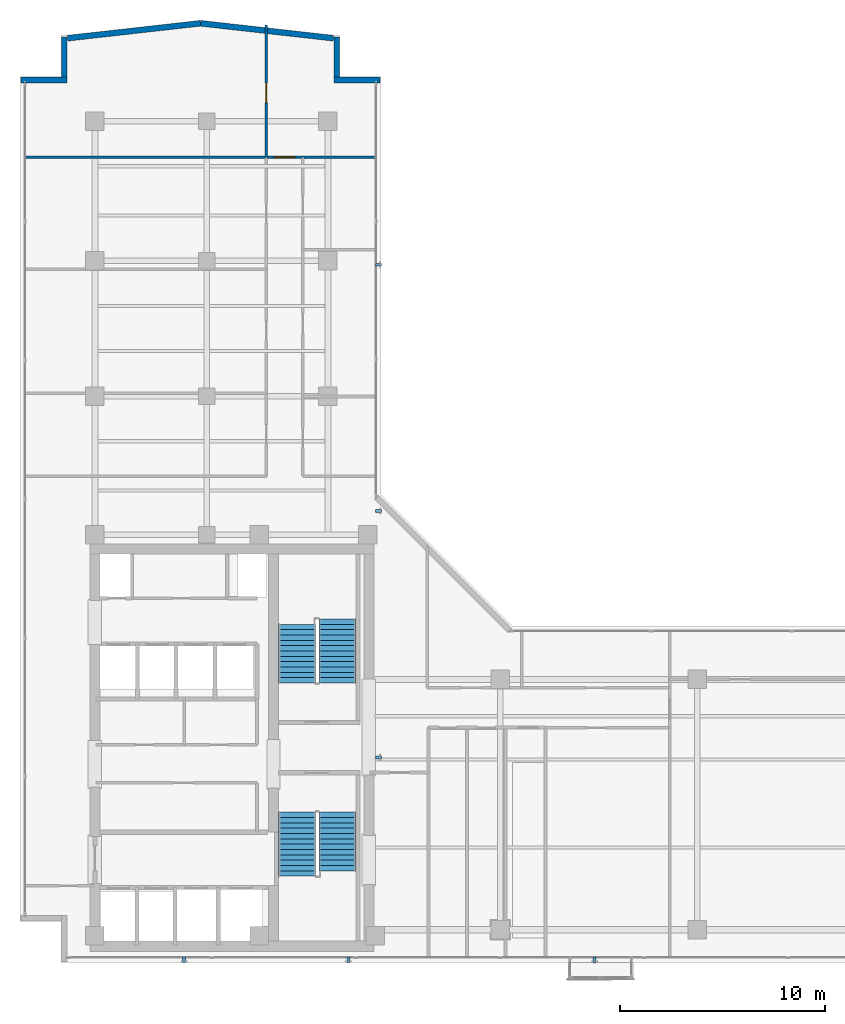
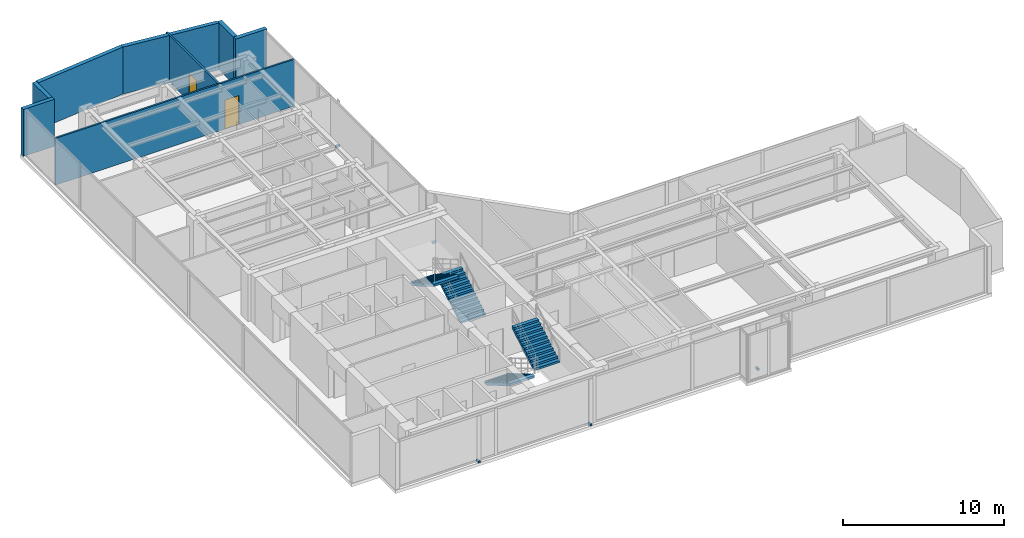
# One storey, part 19 of 22: 8 walls, 6 discrete accessories, 4 stair flights, 2 doors, 2 openings, 2 elements without a shape of their own.
"""IFC4 building model written with IfcOpenShell, lengths in metres."""

from ifc_helpers import new_model, si_unit, direction, frame, frame_2d, origin, origin_with_axes, origin_2d, place, context, subcontext, project, spatial, polyline, rectangle, outline, extrude, source, transform, mapped, material, layer, layer_set, type_object, element, fill, aggregate, save


model = new_model("IFC4")

# Units and contexts
model_context = context("Model", 3, precision=1e-05, world=origin(), true_north=direction((0.0, 1.0)))
body_context = subcontext(model_context, "Body", "Model", "MODEL_VIEW")
ifc_project = project(units=[si_unit("LENGTHUNIT", "METRE"), si_unit("AREAUNIT", "SQUARE_METRE"), si_unit("VOLUMEUNIT", "CUBIC_METRE"), si_unit("PLANEANGLEUNIT", "RADIAN"), si_unit("MASSUNIT", "GRAM", prefix="KILO")], contexts=[model_context])

# Site, building, storey
site_placement = place(None, origin())
site = spatial("IfcSite", under=ifc_project, at=site_placement, CompositionType="ELEMENT")
building_placement = place(site_placement, origin())
building = spatial("IfcBuilding", under=site, at=building_placement, Name="Kolvaren Waterfront Exchange", CompositionType="ELEMENT")
storey_placement = place(building_placement, frame((0.0, 0.0, 266.60009765625)))
storey = spatial("IfcBuildingStorey", under=building, at=storey_placement, Name="L68", CompositionType="ELEMENT", Elevation=266.60009765625)

# Walls
ifc_material_1 = material(Name="Precast concrete C40/50", Category="concrete")
ifc_layer_1 = layer(ifc_material_1, 0.280029296875, Name="Precast concrete C40/50")
ifc_layer_set_1 = layer_set([ifc_layer_1], Name="Precast concrete C40/50")
wall_type_1 = type_object("IfcWallType", Name="ARC-EXT-TERR-280", PredefinedType="SOLIDWALL", material=ifc_layer_set_1)
wall_1_placement = place(storey_placement, frame((19.089599609375, 46.603271484375, 0.0), z_axis=(0.0, 0.0, 1.0), x_axis=(1.0, 0.0, 0.0)))
element("IfcWall", 1, at=wall_1_placement, inside=storey, type_object=wall_type_1, Name="L68 notched corner spandrel pier NNE-A", PredefinedType="SOLIDWALL", context=body_context, shape_type="SweptSolid", body=[
    extrude(rectangle(XDim=2.239990234375, YDim=0.280029296875, at=frame_2d((1.1201171875, 0.0))), origin(), (0.0, 0.0, 1.0), 3.559814453125),
])
wall_2_placement = place(storey_placement, frame((19.2294921875, 46.7431640625, 0.0), z_axis=(0.0, 0.0, 1.0), x_axis=(0.0, 1.0, 0.0)))
element("IfcWall", 2, at=wall_2_placement, inside=storey, type_object=wall_type_1, Name="L68 notched corner spandrel pier NNE-B", PredefinedType="SOLIDWALL", context=body_context, shape_type="SweptSolid", body=[
    extrude(rectangle(XDim=1.9599609375, YDim=0.280029296875, at=frame_2d((0.97998046875, 0.0))), origin(), (0.0, 0.0, 1.0), 3.559814453125),
])
wall_3_placement = place(storey_placement, frame((3.860107421875, 46.603271484375, 0.0), z_axis=(0.0, 0.0, 1.0), x_axis=(1.0, 0.0, 0.0)))
element("IfcWall", 3, at=wall_3_placement, inside=storey, type_object=wall_type_1, Name="L68 notched corner spandrel pier NW-A", PredefinedType="SOLIDWALL", context=body_context, shape_type="SweptSolid", body=[
    extrude(rectangle(XDim=2.239990234375, YDim=0.280029296875, at=frame_2d((1.1201171875, 0.0))), origin(), (0.0, 0.0, 1.0), 3.559814453125),
])
wall_4_placement = place(storey_placement, frame((5.9599609375, 46.7431640625, 0.0), z_axis=(0.0, 0.0, 1.0), x_axis=(0.0, 1.0, 0.0)))
element("IfcWall", 4, at=wall_4_placement, inside=storey, type_object=wall_type_1, Name="L68 notched corner spandrel pier NW-B", PredefinedType="SOLIDWALL", context=body_context, shape_type="SweptSolid", body=[
    extrude(rectangle(XDim=1.9599609375, YDim=0.280029296875, at=frame_2d((0.97998046875, 0.0))), origin(), (0.0, 0.0, 1.0), 3.559814453125),
])
for number, where, z_axis, x_axis, name in (
    (5, (19.073486328125, 48.6376953125, 0.0), (0.0, 0.0, 1.0), (-0.993750080773, 0.111627850304, 0.0), "L68 north prow faceted facade wall 1"),
    (6, (12.5927734375, 49.365234375, 0.0), (0.0, 0.0, 1.0), (-0.993750080773, -0.111627850304, 0.0), "L68 north prow faceted facade wall 2"),
):
    element("IfcWall", number, at=place(storey_placement, frame(where, z_axis=z_axis, x_axis=x_axis)), inside=storey, type_object=wall_type_1, Name=name, PredefinedType="SOLIDWALL", context=body_context, shape_type="SweptSolid", body=[
        extrude(rectangle(XDim=6.517578125, YDim=0.280029296875, at=frame_2d((3.2587890625, 0.0))), origin(), (0.0, 0.0, 1.0), 3.559814453125),
    ])

# Wall, opening, door
ifc_material_2 = material(Name="Acoustic gypsum steel stud", Category="steel")
ifc_layer_2 = layer(ifc_material_2, 0.125, Name="Acoustic gypsum steel stud")
ifc_layer_set_2 = layer_set([ifc_layer_2], Name="Acoustic gypsum steel stud")
wall_type_2 = type_object("IfcWallType", Name="ARC-PART-125", PredefinedType="PARTITIONING", material=ifc_layer_set_2)
wall_5_placement = place(storey_placement, frame((4.0400390625, 42.830078125, 0.0), z_axis=(0.0, 0.0, 1.0), x_axis=(1.0, 0.0, 0.0)))
wall_5 = element("IfcWall", 7, at=wall_5_placement, inside=storey, type_object=wall_type_2, Name="L68 interior wall PW-L68-NTIP-S", PredefinedType="PARTITIONING", context=body_context, shape_type="SweptSolid", body=[
    extrude(rectangle(XDim=17.119873046875, YDim=0.125, at=frame_2d((8.56005859375, 0.0))), origin(), (0.0, 0.0, 1.0), 3.559814453125),
])
opening_1_placement = place(wall_5_placement, frame((12.14990234375, 0.0, 0.0)))
opening_1 = element("IfcOpeningElement", 8, at=opening_1_placement, cuts=wall_5, Name="Opening D03", PredefinedType="OPENING", context=body_context, shape_type="SweptSolid", body=[
    extrude(rectangle(XDim=1.0, YDim=2.199951171875, at=frame_2d((0.5, 1.10009765625))), frame((0.0, 0.072509765625, 0.0), z_axis=(0.0, -1.0, 0.0), x_axis=(1.0, 0.0, 0.0)), (0.0, 0.0, 1.0), 0.14501953125),
])
ifc_material_3 = material(Name="Oak veneer accessible timber", Category="wood")
door_type_1 = type_object("IfcDoorType", Name="ARC-DR-1000", OperationType="NOTDEFINED", PredefinedType="DOOR", material=ifc_material_3)
door_1_placement = place(opening_1_placement, origin())
door_1 = element("IfcDoor", 9, at=door_1_placement, inside=storey, type_object=door_type_1, Name="L68 door DR-L68-NTIPE-D (D03)", OperationType="SINGLE_SWING_RIGHT", OverallHeight=2.199951171875, OverallWidth=1.0, PredefinedType="DOOR", context=body_context, shape_type="SweptSolid", body=[
    extrude(rectangle(XDim=1.0, YDim=2.199951171875, at=frame_2d((0.5, 1.10009765625))), frame((0.0, 0.02490234375, 0.0), z_axis=(0.0, -1.0, 0.0), x_axis=(1.0, 0.0, 0.0)), (0.0, 0.0, 1.0), 0.050048828125),
])
fill(opening_1, door_1)

wall_6_placement = place(storey_placement, frame((15.800048828125, 42.830078125, 0.0), z_axis=(0.0, 0.0, 1.0), x_axis=(0.0, 1.0, 0.0)))
wall_6 = element("IfcWall", 10, at=wall_6_placement, inside=storey, type_object=wall_type_2, Name="L68 interior wall PW-L68-NTIP-DIV", PredefinedType="PARTITIONING", context=body_context, shape_type="SweptSolid", body=[
    extrude(rectangle(XDim=6.456298828125, YDim=0.125, at=frame_2d((3.22802734375, 0.0))), origin(), (0.0, 0.0, 1.0), 3.559814453125),
])
opening_2_placement = place(wall_6_placement, frame((2.67578125, 0.0, 0.0)))
opening_2 = element("IfcOpeningElement", 11, at=opening_2_placement, cuts=wall_6, Name="Opening D02", PredefinedType="OPENING", context=body_context, shape_type="SweptSolid", body=[
    extrude(rectangle(XDim=0.949951171875, YDim=2.14990234375, at=frame_2d((0.47509765625, 1.074951171875))), frame((0.0, 0.072509765625, 0.0), z_axis=(0.0, -1.0, 0.0), x_axis=(1.0, 0.0, 0.0)), (0.0, 0.0, 1.0), 0.14501953125),
])
ifc_material_4 = material(Name="Oak veneer acoustic timber", Category="wood")
door_type_2 = type_object("IfcDoorType", Name="ARC-DR-950", OperationType="NOTDEFINED", PredefinedType="DOOR", material=ifc_material_4)
door_2_placement = place(opening_2_placement, origin())
door_2 = element("IfcDoor", 12, at=door_2_placement, inside=storey, type_object=door_type_2, Name="L68 door DR-L68-NTIPW-D (D02)", OperationType="SINGLE_SWING_LEFT", OverallHeight=2.14990234375, OverallWidth=0.949951171875, PredefinedType="DOOR", context=body_context, shape_type="SweptSolid", body=[
    extrude(rectangle(XDim=0.949951171875, YDim=2.14990234375, at=frame_2d((0.47509765625, 1.074951171875))), frame((0.0, 0.02490234375, 0.0), z_axis=(0.0, -1.0, 0.0), x_axis=(1.0, 0.0, 0.0)), (0.0, 0.0, 1.0), 0.050048828125),
])
fill(opening_2, door_2)

# Stair, stair flights
ifc_material_5 = material(Name="Concrete C40/50", Category="concrete")
stair_type = type_object("IfcStairType", Name="ARC-STAIR-3800", PredefinedType="HALF_TURN_STAIR", material=ifc_material_5)
stair_1_placement = place(storey_placement, origin())
stair_1 = element("IfcStair", 13, at=stair_1_placement, inside=storey, type_object=stair_type, Name="L68 Smoke-proof exit stair ST1", PredefinedType="HALF_TURN_STAIR")
stair_flight_type = type_object("IfcStairFlightType", Name="ARC-FLIGHT-3800", PredefinedType="STRAIGHT", material=ifc_material_5)
stair_flight_1_placement = place(storey_placement, frame((17.300048828125, 10.929931640625, 0.0), z_axis=(0.0, 0.0, 1.0), x_axis=(0.0, -1.0, 0.0)))
stair_flight_1 = element("IfcStairFlight", 14, at=stair_flight_1_placement, type_object=stair_flight_type, Name="ST1 flight 1", NumberOfRisers=13, NumberOfTreads=12, PredefinedType="STRAIGHT", RiserHeight=0.152, TreadLength=0.26, context=body_context, shape_type="SweptSolid", body=[
    extrude(outline(polyline([(0.0, 0.0), (0.0, 0.152099609375), (0.260009765625, 0.152099609375), (0.260009765625, 0.303955078125), (0.52001953125, 0.303955078125), (0.52001953125, 0.4560546875), (0.780029296875, 0.4560546875), (0.780029296875, 0.60791015625), (1.0400390625, 0.60791015625), (1.0400390625, 0.760009765625), (1.300048828125, 0.760009765625), (1.300048828125, 0.912109375), (1.56005859375, 0.912109375), (1.56005859375, 1.06396484375), (1.820068359375, 1.06396484375), (1.820068359375, 1.216064453125), (2.080078125, 1.216064453125), (2.080078125, 1.367919921875), (2.340087890625, 1.367919921875), (2.340087890625, 1.52001953125), (2.60009765625, 1.52001953125), (2.60009765625, 1.672119140625), (2.860107421875, 1.672119140625), (2.860107421875, 1.823974609375), (3.1201171875, 1.823974609375), (3.1201171875, 1.97607421875), (3.1201171875, 1.650390625), (0.297119140625, 0.0), (0.0, 0.0)])), frame((0.0, 0.89990234375, 0.0), z_axis=(0.0, -1.0, 0.0), x_axis=(1.0, 0.0, 0.0)), (0.0, 0.0, 1.0), 1.800048828125),
])
stair_flight_2_placement = place(storey_placement, frame((19.260009765625, 8.070068359375, 1.975830078125), z_axis=(0.0, 0.0, 1.0), x_axis=(0.0, 1.0, 0.0)))
stair_flight_2 = element("IfcStairFlight", 15, at=stair_flight_2_placement, type_object=stair_flight_type, Name="ST1 flight 2", NumberOfRisers=12, NumberOfTreads=11, PredefinedType="STRAIGHT", RiserHeight=0.152, TreadLength=0.26, context=body_context, shape_type="SweptSolid", body=[
    extrude(outline(polyline([(0.0, 0.0), (0.0, 0.152099609375), (0.260009765625, 0.152099609375), (0.260009765625, 0.303955078125), (0.52001953125, 0.303955078125), (0.52001953125, 0.4560546875), (0.780029296875, 0.4560546875), (0.780029296875, 0.60791015625), (1.0400390625, 0.60791015625), (1.0400390625, 0.760009765625), (1.300048828125, 0.760009765625), (1.300048828125, 0.912109375), (1.56005859375, 0.912109375), (1.56005859375, 1.06396484375), (1.820068359375, 1.06396484375), (1.820068359375, 1.216064453125), (2.080078125, 1.216064453125), (2.080078125, 1.367919921875), (2.340087890625, 1.367919921875), (2.340087890625, 1.52001953125), (2.60009765625, 1.52001953125), (2.60009765625, 1.672119140625), (2.860107421875, 1.672119140625), (2.860107421875, 1.823974609375), (2.860107421875, 1.498291015625), (0.297119140625, 0.0), (0.0, 0.0)])), frame((0.0, 0.89990234375, 0.0), z_axis=(0.0, -1.0, 0.0), x_axis=(1.0, 0.0, 0.0)), (0.0, 0.0, 1.0), 1.800048828125),
])
aggregate(stair_1, [stair_flight_1, stair_flight_2])

stair_2_placement = place(storey_placement, origin())
stair_2 = element("IfcStair", 16, at=stair_2_placement, inside=storey, type_object=stair_type, Name="L68 Smoke-proof exit stair ST2", PredefinedType="HALF_TURN_STAIR")
stair_flight_3_placement = place(storey_placement, frame((19.260009765625, 17.219970703125, 0.0), z_axis=(0.0, 0.0, 1.0), x_axis=(0.0, 1.0, 0.0)))
stair_flight_3 = element("IfcStairFlight", 17, at=stair_flight_3_placement, type_object=stair_flight_type, Name="ST2 flight 1", NumberOfRisers=13, NumberOfTreads=12, PredefinedType="STRAIGHT", RiserHeight=0.152, TreadLength=0.26, context=body_context, shape_type="SweptSolid", body=[
    extrude(outline(polyline([(0.0, 0.0), (0.0, 0.152099609375), (0.260009765625, 0.152099609375), (0.260009765625, 0.303955078125), (0.52001953125, 0.303955078125), (0.52001953125, 0.4560546875), (0.780029296875, 0.4560546875), (0.780029296875, 0.60791015625), (1.0400390625, 0.60791015625), (1.0400390625, 0.760009765625), (1.300048828125, 0.760009765625), (1.300048828125, 0.912109375), (1.56005859375, 0.912109375), (1.56005859375, 1.06396484375), (1.820068359375, 1.06396484375), (1.820068359375, 1.216064453125), (2.080078125, 1.216064453125), (2.080078125, 1.367919921875), (2.340087890625, 1.367919921875), (2.340087890625, 1.52001953125), (2.60009765625, 1.52001953125), (2.60009765625, 1.672119140625), (2.860107421875, 1.672119140625), (2.860107421875, 1.823974609375), (3.1201171875, 1.823974609375), (3.1201171875, 1.97607421875), (3.1201171875, 1.650390625), (0.297119140625, 0.0), (0.0, 0.0)])), frame((0.0, 0.89990234375, 0.0), z_axis=(0.0, -1.0, 0.0), x_axis=(1.0, 0.0, 0.0)), (0.0, 0.0, 1.0), 1.800048828125),
])
stair_flight_4_placement = place(storey_placement, frame((17.300048828125, 20.080078125, 1.975830078125), z_axis=(0.0, 0.0, 1.0), x_axis=(0.0, -1.0, 0.0)))
stair_flight_4 = element("IfcStairFlight", 18, at=stair_flight_4_placement, type_object=stair_flight_type, Name="ST2 flight 2", NumberOfRisers=12, NumberOfTreads=11, PredefinedType="STRAIGHT", RiserHeight=0.152, TreadLength=0.26, context=body_context, shape_type="SweptSolid", body=[
    extrude(outline(polyline([(0.0, 0.0), (0.0, 0.152099609375), (0.260009765625, 0.152099609375), (0.260009765625, 0.303955078125), (0.52001953125, 0.303955078125), (0.52001953125, 0.4560546875), (0.780029296875, 0.4560546875), (0.780029296875, 0.60791015625), (1.0400390625, 0.60791015625), (1.0400390625, 0.760009765625), (1.300048828125, 0.760009765625), (1.300048828125, 0.912109375), (1.56005859375, 0.912109375), (1.56005859375, 1.06396484375), (1.820068359375, 1.06396484375), (1.820068359375, 1.216064453125), (2.080078125, 1.216064453125), (2.080078125, 1.367919921875), (2.340087890625, 1.367919921875), (2.340087890625, 1.52001953125), (2.60009765625, 1.52001953125), (2.60009765625, 1.672119140625), (2.860107421875, 1.672119140625), (2.860107421875, 1.823974609375), (2.860107421875, 1.498291015625), (0.297119140625, 0.0), (0.0, 0.0)])), frame((0.0, 0.89990234375, 0.0), z_axis=(0.0, -1.0, 0.0), x_axis=(1.0, 0.0, 0.0)), (0.0, 0.0, 1.0), 1.800048828125),
])
aggregate(stair_2, [stair_flight_3, stair_flight_4])

# Discrete accessories
ifc_material_6 = material(Name="Stainless steel 316", Category="steel")
discrete_accessory_type = type_object("IfcDiscreteAccessoryType", Name="ARC-BRK-FIN", PredefinedType="BRACKET", material=ifc_material_6)
shared_shape = source(origin_with_axes(), body_context, "Body", "SweptSolid", [
    extrude(rectangle(XDim=0.280029296875, YDim=0.139892578125, at=origin_2d()), origin(), (0.0, 0.0, 1.0), 0.159912109375),
])
for number, where, z_axis, x_axis, name in (
    (19, (11.800048828125, 3.719970703125, 0.0), (0.0, 0.0, 1.0), (0.0, -1.0, 0.0), "L68 bronze fin anchor bracket FIN-L68-S1"),
    (20, (19.800048828125, 3.719970703125, 0.0), (0.0, 0.0, 1.0), (0.0, -1.0, 0.0), "L68 bronze fin anchor bracket FIN-L68-S2"),
    (21, (31.800048828125, 3.719970703125, 0.0), (0.0, 0.0, 1.0), (0.0, -1.0, 0.0), "L68 bronze fin anchor bracket FIN-L68-S3"),
    (22, (21.26953125, 13.60009765625, 0.0), (0.0, 0.0, 1.0), (1.0, 0.0, 0.0), "L68 bronze fin anchor bracket FIN-L68-E1"),
    (23, (21.26953125, 25.60009765625, 0.0), (0.0, 0.0, 1.0), (1.0, 0.0, 0.0), "L68 bronze fin anchor bracket FIN-L68-E2"),
    (24, (21.26953125, 37.60009765625, 0.0), (0.0, 0.0, 1.0), (1.0, 0.0, 0.0), "L68 bronze fin anchor bracket FIN-L68-E3"),
):
    element("IfcDiscreteAccessory", number, at=place(storey_placement, frame(where, z_axis=z_axis, x_axis=x_axis)), inside=storey, type_object=discrete_accessory_type, Name=name, PredefinedType="BRACKET", context=body_context, shape_type="MappedRepresentation", body=[
        mapped(shared_shape, transform((0.0, 0.0, 0.0), x_axis=(1.0, 0.0, 0.0), y_axis=(0.0, 1.0, 0.0), z_axis=(0.0, 0.0, 1.0), scale=1.0)),
    ])

save(model, "model.ifc")
